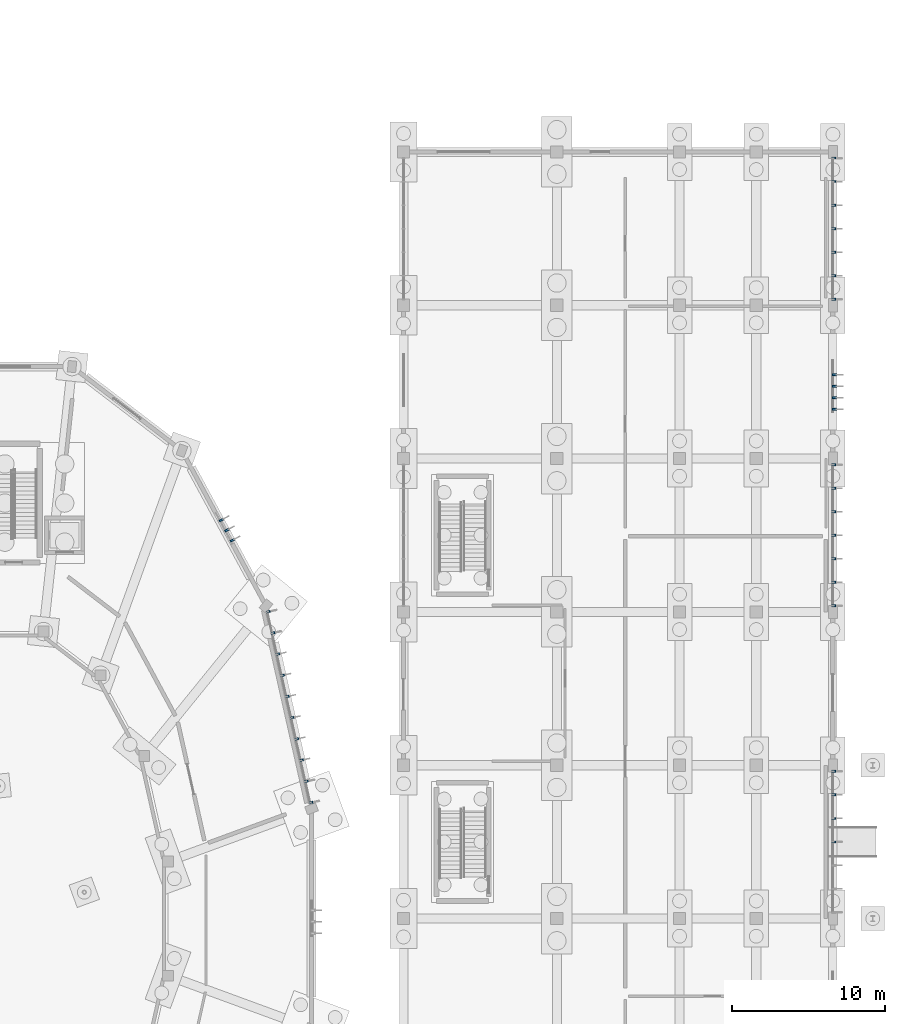
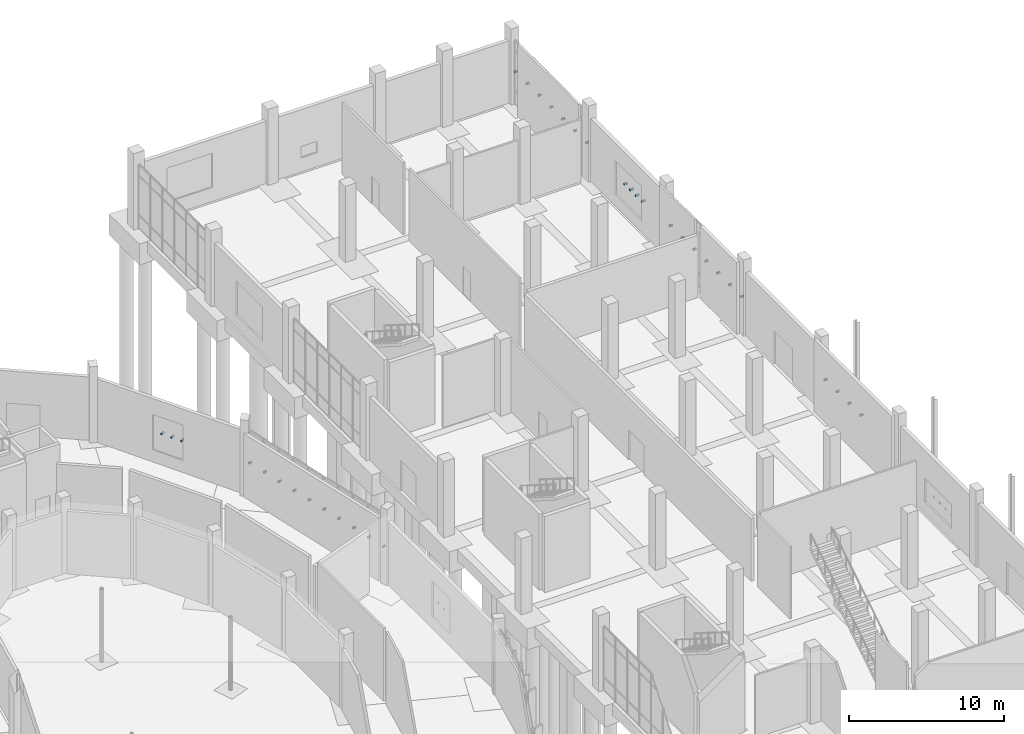
# One storey, part 108 of 140: 35 discrete accessories.
"""IFC4 building model written with IfcOpenShell, lengths in metres."""

from ifc_helpers import new_model, si_unit, direction, frame, origin, origin_2d, place, context, subcontext, project, spatial, rectangle, extrude, material, type_object, element, save


model = new_model("IFC4")

# Units and contexts
model_context = context("Model", 3, precision=1e-05, world=origin(), true_north=direction((0.0, 1.0)))
body_context = subcontext(model_context, "Body", "Model", "MODEL_VIEW")
ifc_project = project(units=[si_unit("LENGTHUNIT", "METRE"), si_unit("AREAUNIT", "SQUARE_METRE"), si_unit("VOLUMEUNIT", "CUBIC_METRE"), si_unit("PLANEANGLEUNIT", "RADIAN"), si_unit("MASSUNIT", "GRAM", prefix="KILO")], contexts=[model_context])

# Site, building, storey
site_placement = place(None, origin())
site = spatial("IfcSite", under=ifc_project, at=site_placement, CompositionType="ELEMENT")
building_placement = place(site_placement, origin())
building = spatial("IfcBuilding", under=site, at=building_placement, Name="Corvandel Quay Wholesale Market", CompositionType="ELEMENT")
storey_placement = place(building_placement, origin())
storey = spatial("IfcBuildingStorey", under=building, at=storey_placement, Name="L00", CompositionType="ELEMENT", Elevation=0.0)

# Discrete accessories
ifc_material = material(Name="Austenitic stainless steel Grade 316", Category="steel")
discrete_accessory_type = type_object("IfcDiscreteAccessoryType", Name="Stainless Solar Fin Fixing Bracket BRK01", PredefinedType="USERDEFINED", material=ifc_material)
for number, where, z_axis, x_axis, name in (
    (1, (213.970947265625, 67.564453125, 2.5048828125), (0.0, 0.0, 1.0), (0.975726024471, 0.218994806262, 0.0), "Fin Bracket 0600"),
    (2, (213.660400390625, 68.94775390625, 2.5048828125), (0.0, 0.0, 1.0), (0.975726024471, 0.218994806262, 0.0), "Fin Bracket 0601"),
    (3, (213.35009765625, 70.331298828125, 2.5048828125), (0.0, 0.0, 1.0), (0.975726024471, 0.218994806262, 0.0), "Fin Bracket 0602"),
    (4, (213.039794921875, 71.714599609375, 2.5048828125), (0.0, 0.0, 1.0), (0.975726024471, 0.218994806262, 0.0), "Fin Bracket 0603"),
    (5, (212.729248046875, 73.097900390625, 2.5048828125), (0.0, 0.0, 1.0), (0.975726024471, 0.218994806262, 0.0), "Fin Bracket 0604"),
    (6, (212.418701171875, 74.481201171875, 2.5048828125), (0.0, 0.0, 1.0), (0.975726024471, 0.218994806262, 0.0), "Fin Bracket 0605"),
    (7, (212.1083984375, 75.86474609375, 2.5048828125), (0.0, 0.0, 1.0), (0.975726024471, 0.218994806262, 0.0), "Fin Bracket 0606"),
    (8, (211.798095703125, 77.248046875, 2.5048828125), (0.0, 0.0, 1.0), (0.975726024471, 0.218994806262, 0.0), "Fin Bracket 0607"),
    (9, (211.487548828125, 78.631591796875, 2.5048828125), (0.0, 0.0, 1.0), (0.975726024471, 0.218994806262, 0.0), "Fin Bracket 0608"),
    (10, (211.177001953125, 80.014892578125, 2.5048828125), (0.0, 0.0, 1.0), (0.975726024471, 0.218994806262, 0.0), "Fin Bracket 0609"),
):
    element("IfcDiscreteAccessory", number, at=place(storey_placement, frame(where, z_axis=z_axis, x_axis=x_axis)), inside=storey, type_object=discrete_accessory_type, Name=name, ObjectType="BRACKET", PredefinedType="USERDEFINED", context=body_context, shape_type="SweptSolid", body=[
        extrude(rectangle(XDim=0.239990234375, YDim=0.1201171875, at=origin_2d()), origin(), (0.0, 0.0, 1.0), 0.139892578125),
    ])
for number, where, z_axis, x_axis, name in (
    (11, (208.82861328125, 84.668212890625, 2.2802734375), (0.0, 0.0, 1.0), (0.879316310191, 0.476238203668, 0.0), "Fin Bracket 0614"),
    (12, (208.471435546875, 85.32763671875, 2.2802734375), (0.0, 0.0, 1.0), (0.879316310191, 0.476238203668, 0.0), "Fin Bracket 0615"),
    (13, (208.1142578125, 85.9873046875, 2.2802734375), (0.0, 0.0, 1.0), (0.879316310191, 0.476238203668, 0.0), "Fin Bracket 0616"),
):
    element("IfcDiscreteAccessory", number, at=place(storey_placement, frame(where, z_axis=z_axis, x_axis=x_axis)), inside=storey, type_object=discrete_accessory_type, Name=name, ObjectType="BRACKET", PredefinedType="USERDEFINED", context=body_context, shape_type="SweptSolid", body=[
        extrude(rectangle(XDim=0.280029296875, YDim=0.1201171875, at=origin_2d()), origin(), (0.0, 0.0, 1.0), 0.139892578125),
    ])
for number, where, z_axis, x_axis, name in (
    (14, (248.06005859375, 65.0, 2.455078125), (0.0, 0.0, 1.0), (1.0, 0.0, 0.0), "Fin Bracket 0770"),
    (15, (248.06005859375, 66.533203125, 2.455078125), (0.0, 0.0, 1.0), (1.0, 0.0, 0.0), "Fin Bracket 0771"),
    (16, (248.06005859375, 68.066650390625, 2.455078125), (0.0, 0.0, 1.0), (1.0, 0.0, 0.0), "Fin Bracket 0772"),
    (17, (248.06005859375, 69.60009765625, 2.455078125), (0.0, 0.0, 1.0), (1.0, 0.0, 0.0), "Fin Bracket 0773"),
    (18, (248.06005859375, 80.39990234375, 2.455078125), (0.0, 0.0, 1.0), (1.0, 0.0, 0.0), "Fin Bracket 0774"),
    (19, (248.06005859375, 81.933349609375, 2.455078125), (0.0, 0.0, 1.0), (1.0, 0.0, 0.0), "Fin Bracket 0775"),
    (20, (248.06005859375, 83.466796875, 2.455078125), (0.0, 0.0, 1.0), (1.0, 0.0, 0.0), "Fin Bracket 0776"),
    (21, (248.06005859375, 85.0, 2.455078125), (0.0, 0.0, 1.0), (1.0, 0.0, 0.0), "Fin Bracket 0777"),
    (22, (248.06005859375, 86.533203125, 2.455078125), (0.0, 0.0, 1.0), (1.0, 0.0, 0.0), "Fin Bracket 0778"),
    (23, (248.06005859375, 88.066650390625, 2.455078125), (0.0, 0.0, 1.0), (1.0, 0.0, 0.0), "Fin Bracket 0779"),
    (24, (248.06005859375, 89.60009765625, 2.455078125), (0.0, 0.0, 1.0), (1.0, 0.0, 0.0), "Fin Bracket 0780"),
):
    element("IfcDiscreteAccessory", number, at=place(storey_placement, frame(where, z_axis=z_axis, x_axis=x_axis)), inside=storey, type_object=discrete_accessory_type, Name=name, ObjectType="BRACKET", PredefinedType="USERDEFINED", context=body_context, shape_type="SweptSolid", body=[
        extrude(rectangle(XDim=0.239990234375, YDim=0.1201171875, at=origin_2d()), origin(), (0.0, 0.0, 1.0), 0.139892578125),
    ])
for number, where, z_axis, x_axis, name in (
    (25, (248.10009765625, 93.219970703125, 2.18017578125), (0.0, 0.0, 1.0), (1.0, 0.0, 0.0), "Fin Bracket 0781"),
    (26, (248.10009765625, 93.969970703125, 2.18017578125), (0.0, 0.0, 1.0), (1.0, 0.0, 0.0), "Fin Bracket 0782"),
    (27, (248.10009765625, 94.719970703125, 2.18017578125), (0.0, 0.0, 1.0), (1.0, 0.0, 0.0), "Fin Bracket 0783"),
    (28, (248.10009765625, 95.469970703125, 2.18017578125), (0.0, 0.0, 1.0), (1.0, 0.0, 0.0), "Fin Bracket 0784"),
):
    element("IfcDiscreteAccessory", number, at=place(storey_placement, frame(where, z_axis=z_axis, x_axis=x_axis)), inside=storey, type_object=discrete_accessory_type, Name=name, ObjectType="BRACKET", PredefinedType="USERDEFINED", context=body_context, shape_type="SweptSolid", body=[
        extrude(rectangle(XDim=0.280029296875, YDim=0.1201171875, at=origin_2d()), origin(), (0.0, 0.0, 1.0), 0.139892578125),
    ])
for number, where, z_axis, x_axis, name in (
    (29, (248.06005859375, 100.39990234375, 2.455078125), (0.0, 0.0, 1.0), (1.0, 0.0, 0.0), "Fin Bracket 0785"),
    (30, (248.06005859375, 101.933349609375, 2.455078125), (0.0, 0.0, 1.0), (1.0, 0.0, 0.0), "Fin Bracket 0786"),
    (31, (248.06005859375, 103.466796875, 2.455078125), (0.0, 0.0, 1.0), (1.0, 0.0, 0.0), "Fin Bracket 0787"),
    (32, (248.06005859375, 105.0, 2.455078125), (0.0, 0.0, 1.0), (1.0, 0.0, 0.0), "Fin Bracket 0788"),
    (33, (248.06005859375, 106.533203125, 2.455078125), (0.0, 0.0, 1.0), (1.0, 0.0, 0.0), "Fin Bracket 0789"),
    (34, (248.06005859375, 108.066650390625, 2.455078125), (0.0, 0.0, 1.0), (1.0, 0.0, 0.0), "Fin Bracket 0790"),
    (35, (248.06005859375, 109.60009765625, 2.455078125), (0.0, 0.0, 1.0), (1.0, 0.0, 0.0), "Fin Bracket 0791"),
):
    element("IfcDiscreteAccessory", number, at=place(storey_placement, frame(where, z_axis=z_axis, x_axis=x_axis)), inside=storey, type_object=discrete_accessory_type, Name=name, ObjectType="BRACKET", PredefinedType="USERDEFINED", context=body_context, shape_type="SweptSolid", body=[
        extrude(rectangle(XDim=0.239990234375, YDim=0.1201171875, at=origin_2d()), origin(), (0.0, 0.0, 1.0), 0.139892578125),
    ])

save(model, "model.ifc")
